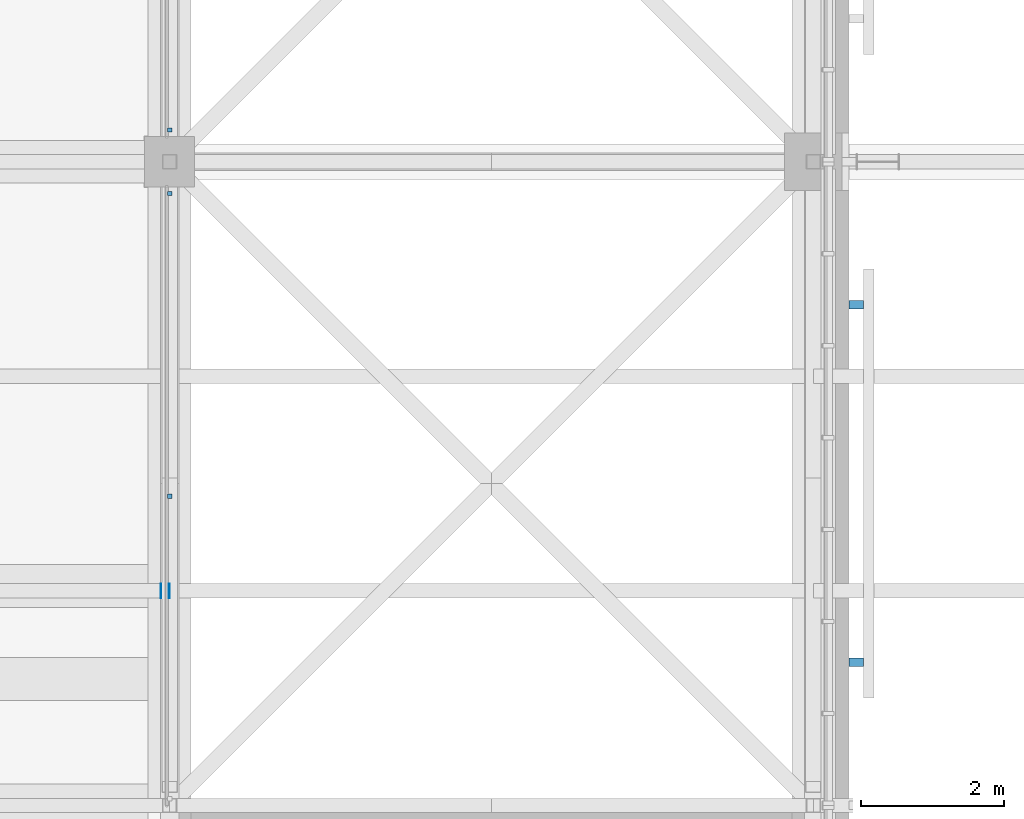
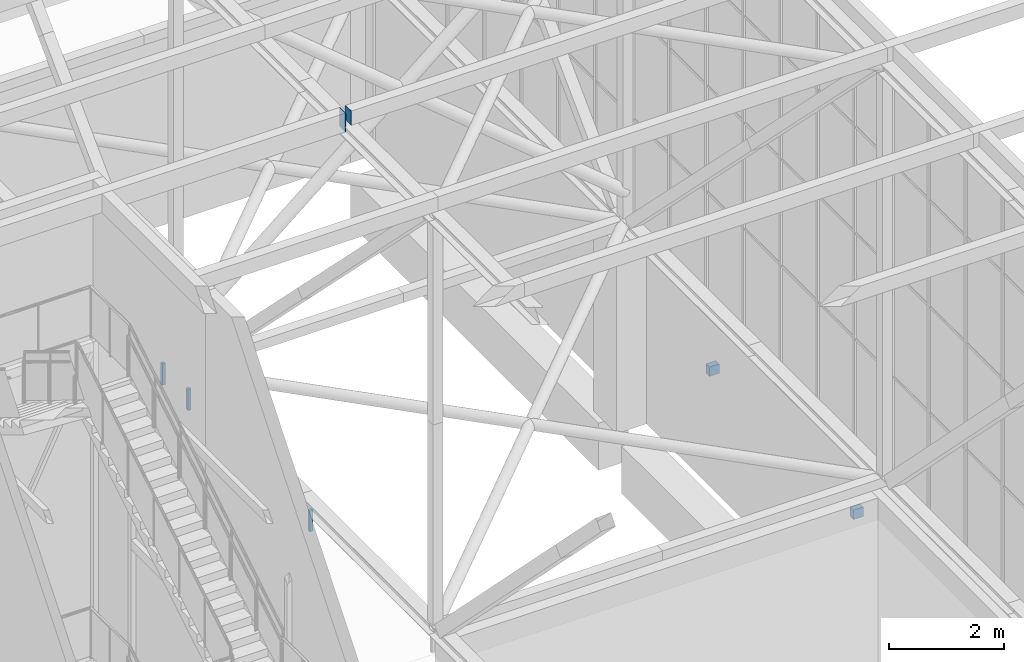
# One storey, part 219 of 646: 7 discrete accessories.
"""IFC4 building model written with IfcOpenShell, lengths in metres."""

import ifcopenshell
import ifcopenshell.guid

model = None  # the IFC model being written
_history = None  # IfcOwnerHistory: only IFC2X3 demands one
_inside = {}  # id of a spatial element -> (the spatial element, [elements in it])
_under = {}  # id of a project, library or spatial element -> (it, [spatial elements below it])
_declared = {}  # id of a project -> (the project, [libraries it declares])
_typed = {}  # id of a type object -> (the type object, [elements of that type])
_made_of = {}  # id of a material, layer set ... -> (it, [elements and type objects made of it])


def new_model(schema):
    """Start an empty IFC model of exactly this schema.

    Asked for "IFC4X3", IfcOpenShell would pick the latest addendum, in which some entities
    have other attributes; the version numbers below select the first issue.
    IFC2X3 requires an IfcOwnerHistory on every rooted entity: one is made here for all.
    """
    global model, _history
    if schema == "IFC4X3":
        model = ifcopenshell.file(schema_version=(4, 3, 0, 0))
    else:
        model = ifcopenshell.file(schema=schema)
    _inside.clear()
    _under.clear()
    _declared.clear()
    _typed.clear()
    _made_of.clear()
    _history = None
    if model.schema == "IFC2X3":
        org = make("IfcOrganization", Name="unknown")
        user = make(
            "IfcPersonAndOrganization",
            ThePerson=make("IfcPerson", FamilyName="unknown"),
            TheOrganization=org,
        )
        app = make(
            "IfcApplication",
            ApplicationDeveloper=org,
            Version="unknown",
            ApplicationFullName="unknown",
            ApplicationIdentifier="unknown",
        )
        _history = make(
            "IfcOwnerHistory",
            OwningUser=user,
            OwningApplication=app,
            ChangeAction="ADDED",
            CreationDate=0,
        )
    return model


def make(cls, **values):
    """One entity of the class cls with the attributes given. An attribute that is None is left unset."""
    return model.create_entity(
        cls, **{name: value for name, value in values.items() if value is not None}
    )


def rooted(cls, **values):
    """An entity with a GlobalId (a new one), such as an element, a storey or a relation."""
    return make(cls, GlobalId=ifcopenshell.guid.new(), OwnerHistory=_history, **values)


def si_unit(unit_type, name, prefix=None):
    """IfcSIUnit, for example si_unit("LENGTHUNIT", "METRE", prefix="MILLI")."""
    return make("IfcSIUnit", UnitType=unit_type, Prefix=prefix, Name=name)


def assignment(units):
    """IfcUnitAssignment: the units of a project."""
    return None if units is None else make("IfcUnitAssignment", Units=units)


def point(xyz):
    """IfcCartesianPoint."""
    return None if xyz is None else make("IfcCartesianPoint", Coordinates=xyz)


def direction(xyz):
    """IfcDirection."""
    return None if xyz is None else make("IfcDirection", DirectionRatios=xyz)


def frame(location, z_axis=None, x_axis=None):
    """IfcAxis2Placement3D, a coordinate frame: its origin and axes. An axis left out is left unset."""
    return make(
        "IfcAxis2Placement3D",
        Location=point(location),
        Axis=direction(z_axis),
        RefDirection=direction(x_axis),
    )


def frame_2d(location, x_axis=None):
    """IfcAxis2Placement2D, a coordinate frame in the plane: its origin and x axis."""
    return make(
        "IfcAxis2Placement2D", Location=point(location), RefDirection=direction(x_axis)
    )


def origin():
    """The frame at (0, 0, 0) with its axes left unset."""
    return frame((0.0, 0.0, 0.0))


def origin_2d():
    """The frame at (0, 0) in the plane with its x axis left unset."""
    return frame_2d((0.0, 0.0))


def place(relative_to, where):
    """IfcLocalPlacement: puts the frame where relative to a parent placement (None: the world)."""
    return make(
        "IfcLocalPlacement", PlacementRelTo=relative_to, RelativePlacement=where
    )


def context(
    kind, dimensions, precision=None, world=None, true_north=None, identifier=None
):
    """IfcGeometricRepresentationContext, for example the 3D "Model" context."""
    return make(
        "IfcGeometricRepresentationContext",
        ContextIdentifier=identifier,
        ContextType=kind,
        CoordinateSpaceDimension=dimensions,
        Precision=precision,
        WorldCoordinateSystem=world,
        TrueNorth=true_north,
    )


def subcontext(parent, identifier, kind, view, scale=None):
    """IfcGeometricRepresentationSubContext, for example "Body" below "Model"."""
    return make(
        "IfcGeometricRepresentationSubContext",
        ContextIdentifier=identifier,
        ContextType=kind,
        ParentContext=parent,
        TargetScale=scale,
        TargetView=view,
    )


def project(units=None, contexts=None):
    """IfcProject with its units and contexts."""
    return rooted(
        "IfcProject",
        Name="project",
        RepresentationContexts=contexts,
        UnitsInContext=assignment(units),
    )


def spatial(cls, under=None, at=None, **own):
    """A site, building, storey or space (cls), placed at a placement, below another one or the project."""
    s = rooted(cls, ObjectPlacement=at, **own)
    if under is not None:
        _under.setdefault(under.id(), (under, []))[1].append(s)
    return s


def profile(cls, at=None, kind="AREA", **sizes):
    """A parametric profile (cls). Its sizes go by their IFC names, for example OverallWidth=200.0."""
    return make(cls, ProfileType=kind, Position=at, **sizes)


def rectangle(**sizes):
    """IfcRectangleProfileDef."""
    return profile("IfcRectangleProfileDef", **sizes)


def extrude(swept, where, along, depth):
    """IfcExtrudedAreaSolid: the profile swept, set in the frame where, extruded along a direction by depth."""
    return make(
        "IfcExtrudedAreaSolid",
        SweptArea=swept,
        Position=where,
        ExtrudedDirection=direction(along),
        Depth=depth,
    )


def shape(context_of_items, identifier, shape_type, items):
    """IfcShapeRepresentation: the items that make up one representation, for example the "Body"."""
    return make(
        "IfcShapeRepresentation",
        ContextOfItems=context_of_items,
        RepresentationIdentifier=identifier,
        RepresentationType=shape_type,
        Items=items,
    )


def material(Name=None, Category=None):
    """IfcMaterial."""
    return make("IfcMaterial", Name=Name, Category=Category)


def layer(
    of_material, thickness, ventilated=None, Name=None, Category=None, Priority=None
):
    """IfcMaterialLayer: one layer of a wall or slab, of a material (None: an air gap)."""
    return make(
        "IfcMaterialLayer",
        Material=of_material,
        LayerThickness=thickness,
        IsVentilated=ventilated,
        Name=Name,
        Category=Category,
        Priority=Priority,
    )


def layer_set(layers, Name=None):
    """IfcMaterialLayerSet."""
    return make("IfcMaterialLayerSet", MaterialLayers=layers, LayerSetName=Name)


def made_of(thing, what):
    """Note that an element or type object is made of a material, layer set ...; save() writes the relation."""
    if what is not None:
        _made_of.setdefault(what.id(), (what, []))[1].append(thing)
    return thing


def type_object(cls, material=None, **own):
    """A type object (cls), such as IfcWallType, which elements share."""
    return made_of(rooted(cls, **own), material)


def element(
    cls,
    number,
    at=None,
    inside=None,
    cuts=None,
    type_object=None,
    material=None,
    context=None,
    identifier="Body",
    shape_type=None,
    held_by="IfcProductDefinitionShape",
    body=None,
    shapes=None,
    **own,
):
    """One element of the class cls, such as IfcWall. Its Tag is "e" and its number.

    at: its placement. inside: the storey or other place that contains it. cuts: it is an
    opening in that element (IfcRelVoidsElement). A single representation is given by context,
    identifier, shape_type and body (its items); several are given by shapes. held_by: the class
    of the entity that holds the representations. save() writes the other relations.
    """
    e = rooted(cls, Tag="e%d" % number, ObjectPlacement=at, **own)
    if body is not None:
        shapes = [shape(context, identifier, shape_type, body)]
    if shapes is not None:
        e.Representation = make(held_by, Representations=shapes)
    if inside is not None:
        _inside.setdefault(inside.id(), (inside, []))[1].append(e)
    if cuts is not None:
        rooted(
            "IfcRelVoidsElement", RelatingBuildingElement=cuts, RelatedOpeningElement=e
        )
    if type_object is not None:
        _typed.setdefault(type_object.id(), (type_object, []))[1].append(e)
    return made_of(e, material)


def aggregate(whole, parts):
    """IfcRelAggregates: a whole, such as a stair, and the parts it consists of."""
    return rooted("IfcRelAggregates", RelatingObject=whole, RelatedObjects=parts)


def save(model, path):
    """Write the relations noted so far, then the file.

    IfcRelAggregates (storeys below a building ...), IfcRelContainedInSpatialStructure (elements
    in a storey), IfcRelDefinesByType, IfcRelAssociatesMaterial and IfcRelDeclares: one each for
    every whole, place, type object, material and project.
    """
    for whole, parts in _under.values():
        aggregate(whole, parts)
    for where, things in _inside.values():
        rooted(
            "IfcRelContainedInSpatialStructure",
            RelatedElements=things,
            RelatingStructure=where,
        )
    for kind, things in _typed.values():
        rooted("IfcRelDefinesByType", RelatedObjects=things, RelatingType=kind)
    for what, things in _made_of.values():
        rooted("IfcRelAssociatesMaterial", RelatedObjects=things, RelatingMaterial=what)
    for by, libraries in _declared.values():
        rooted("IfcRelDeclares", RelatingContext=by, RelatedDefinitions=libraries)
    model.write(path)


model = new_model("IFC4")

# Units and contexts
model_context = context("Model", 3, precision=1e-05, world=origin(), true_north=direction((0.0, 1.0)))
body_context = subcontext(model_context, "Body", "Model", "MODEL_VIEW")
ifc_project = project(units=[si_unit("LENGTHUNIT", "METRE"), si_unit("AREAUNIT", "SQUARE_METRE"), si_unit("VOLUMEUNIT", "CUBIC_METRE"), si_unit("PLANEANGLEUNIT", "RADIAN"), si_unit("MASSUNIT", "GRAM", prefix="KILO")], contexts=[model_context])

# Site, building, storey
site_placement = place(None, origin())
site = spatial("IfcSite", under=ifc_project, at=site_placement, CompositionType="ELEMENT")
building_placement = place(site_placement, origin())
building = spatial("IfcBuilding", under=site, at=building_placement, Name="Silverbay Arena", CompositionType="ELEMENT")
storey_placement = place(building_placement, frame((0.0, 0.0, 33.5)))
storey = spatial("IfcBuildingStorey", under=building, at=storey_placement, Name="L05", CompositionType="ELEMENT", Elevation=33.5)

# Discrete accessories
ifc_material_1 = material(Name="Steel S355", Category="steel")
discrete_accessory_type_1 = type_object("IfcDiscreteAccessoryType", Name="Ceiling hanger", PredefinedType="BRACKET", material=ifc_material_1)
for number, where, z_axis, x_axis, name in (
    (1, (198.0, 76.324951171875, 3.5498046875), (0.0, 0.0, 1.0), (1.0, 0.0, 0.0), "Ceiling hanger"),
    (2, (198.0, 80.554931640625, 3.5498046875), (0.0, 0.0, 1.0), (1.0, 0.0, 0.0), "Ceiling hanger"),
    (3, (198.0, 81.445068359375, 3.5498046875), (0.0, 0.0, 1.0), (1.0, 0.0, 0.0), "Ceiling hanger"),
):
    element("IfcDiscreteAccessory", number, at=place(storey_placement, frame(where, z_axis=z_axis, x_axis=x_axis)), inside=storey, type_object=discrete_accessory_type_1, Name=name, PredefinedType="BRACKET", context=body_context, shape_type="SweptSolid", body=[
        extrude(rectangle(XDim=0.06005859375, YDim=0.06005859375, at=origin_2d()), origin(), (0.0, 0.0, 1.0), 0.449951171875),
    ])
ifc_material_2 = material(Name="Steel S355", Category="steel")
ifc_layer = layer(ifc_material_2, 0.011962890625)
ifc_layer_set = layer_set([ifc_layer], Name="Steel S355")
discrete_accessory_type_2 = type_object("IfcDiscreteAccessoryType", Name="Purlin end plate 12", PredefinedType="USERDEFINED", material=ifc_layer_set)
discrete_accessory_1_placement = place(storey_placement, frame((197.872802734375, 75.0, 13.10009765625), z_axis=(1.0, 0.0, 0.0), x_axis=(0.0, 1.0, 0.0)))
element("IfcDiscreteAccessory", 4, at=discrete_accessory_1_placement, inside=storey, type_object=discrete_accessory_type_2, Name="Purlin end plate", ObjectType="END PLATE", PredefinedType="USERDEFINED", context=body_context, shape_type="SweptSolid", body=[
    extrude(rectangle(XDim=0.199951171875, YDim=0.39990234375, at=origin_2d()), origin(), (0.0, 0.0, 1.0), 0.011962890625),
])
discrete_accessory_2_placement = place(storey_placement, frame((198.0, 75.0, 13.14990234375), z_axis=(-1.0, 0.0, 0.0), x_axis=(0.0, -1.0, 0.0)))
element("IfcDiscreteAccessory", 5, at=discrete_accessory_2_placement, inside=storey, type_object=discrete_accessory_type_2, Name="Purlin end plate", ObjectType="END PLATE", PredefinedType="USERDEFINED", context=body_context, shape_type="SweptSolid", body=[
    extrude(rectangle(XDim=0.199951171875, YDim=0.300048828125, at=origin_2d()), origin(), (0.0, 0.0, 1.0), 0.011962890625),
])
ifc_material_3 = material(Name="Steel S355", Category="steel")
discrete_accessory_type_3 = type_object("IfcDiscreteAccessoryType", Name="Steel bracket plate", PredefinedType="BRACKET", material=ifc_material_3)
for number, where, z_axis, x_axis, name in (
    (6, (207.60009765625, 74.0, 1.89990234375), (0.0, 0.0, 1.0), (0.0, 1.0, 0.0), "Louvre support bracket"),
    (7, (207.60009765625, 79.0, 1.89990234375), (0.0, 0.0, 1.0), (0.0, 1.0, 0.0), "Louvre support bracket"),
):
    element("IfcDiscreteAccessory", number, at=place(storey_placement, frame(where, z_axis=z_axis, x_axis=x_axis)), inside=storey, type_object=discrete_accessory_type_3, Name=name, PredefinedType="BRACKET", context=body_context, shape_type="SweptSolid", body=[
        extrude(rectangle(XDim=0.1201171875, YDim=0.199951171875, at=origin_2d()), origin(), (0.0, 0.0, 1.0), 0.199951171875),
    ])

save(model, "model.ifc")
